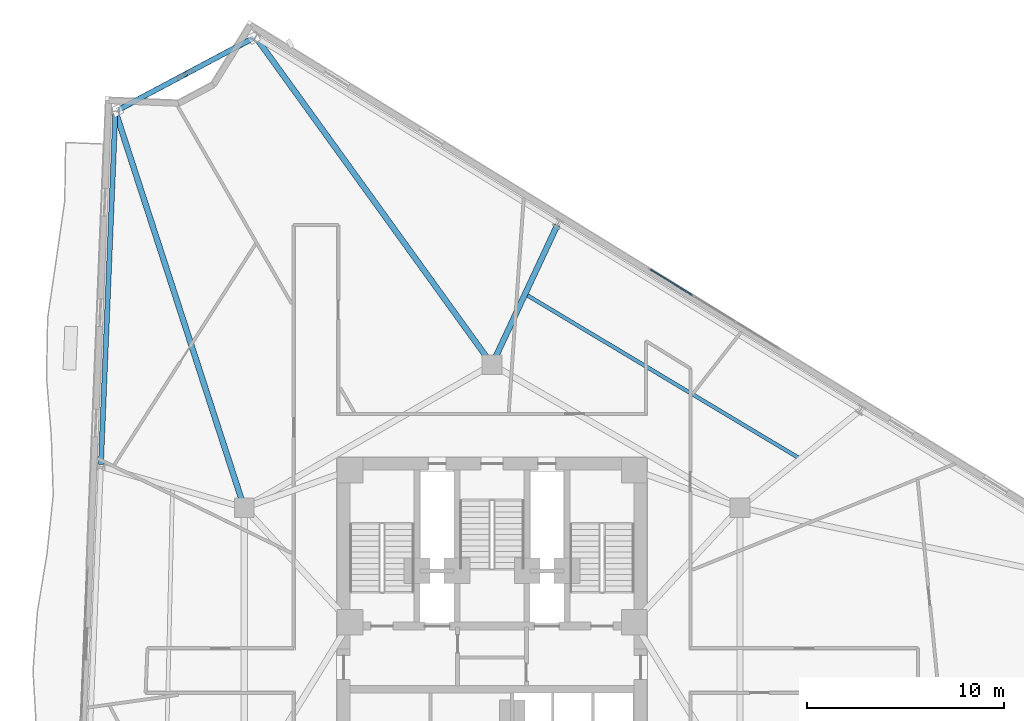
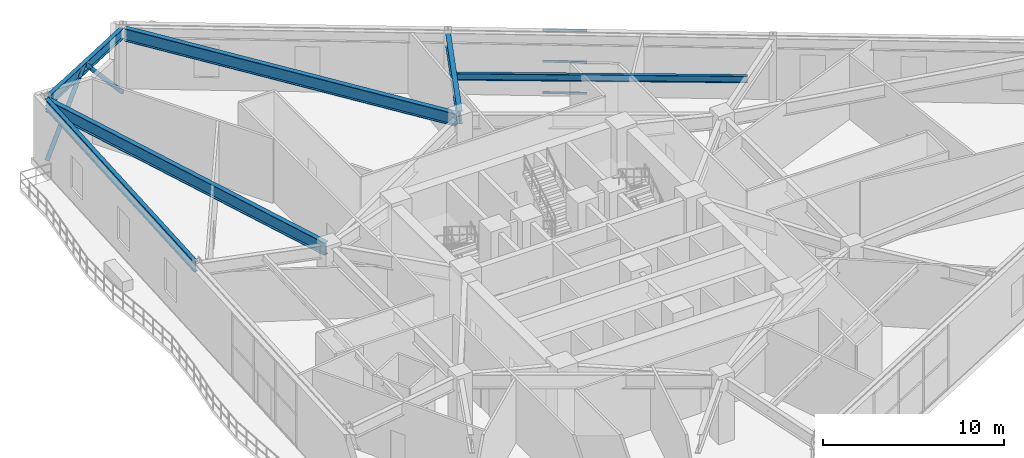
# One storey, part 9 of 22: 6 beams, 5 members, 1 element without a shape of its own.
"""IFC4 building model written with IfcOpenShell, lengths in metres."""

from ifc_helpers import new_model, si_unit, direction, frame, origin, origin_2d, place, context, subcontext, project, spatial, rectangle, hollow_circle, i_section, extrude, material, layer, layer_set, material_profile, profile_set, type_object, element, aggregate, save


model = new_model("IFC4")

# Units and contexts
model_context = context("Model", 3, precision=1e-05, world=origin(), true_north=direction((0.0, 1.0)))
body_context = subcontext(model_context, "Body", "Model", "MODEL_VIEW")
ifc_project = project(units=[si_unit("LENGTHUNIT", "METRE"), si_unit("AREAUNIT", "SQUARE_METRE"), si_unit("VOLUMEUNIT", "CUBIC_METRE"), si_unit("PLANEANGLEUNIT", "RADIAN"), si_unit("MASSUNIT", "GRAM", prefix="KILO")], contexts=[model_context])

# Site, building, storey
site_placement = place(None, origin())
site = spatial("IfcSite", under=ifc_project, at=site_placement, CompositionType="ELEMENT")
building_placement = place(site_placement, origin())
building = spatial("IfcBuilding", under=site, at=building_placement, Name="Apsidion Concourse Tower", CompositionType="ELEMENT")
storey_placement = place(building_placement, frame((0.0, 0.0, 160.89990234375)))
storey = spatial("IfcBuildingStorey", under=building, at=storey_placement, Name="L37", CompositionType="ELEMENT", Elevation=160.89990234375)

# Beams
ifc_material_1 = material(Name="Structural steel ASTM A992 Grade 50", Category="steel")
ifc_material_profile_1 = material_profile(ifc_material_1, i_section(OverallWidth=0.19091796875, OverallDepth=0.45703125, WebThickness=0.009033203125, FlangeThickness=0.014404296875, at=origin_2d()), Name="W18X50")
ifc_profile_set_1 = profile_set([ifc_material_profile_1], Name="Structural steel ASTM A992 Grade 50")
beam_type_1 = type_object("IfcBeamType", Name="BM-FL-W18", PredefinedType="BEAM", material=ifc_profile_set_1)
beam_1_placement = place(storey_placement, frame((15.619384765625, 9.7265625, 4.12158203125), z_axis=(-0.85795243344, 0.513729132865, 0.0), x_axis=(-0.513729132865, -0.85795243344, 0.0)))
element("IfcBeam", 1, at=beam_1_placement, inside=storey, type_object=beam_type_1, Name="L37 Secondary Floor Beam SEC-F3", PredefinedType="BEAM", context=body_context, shape_type="SweptSolid", body=[
    extrude(i_section(OverallWidth=0.19091796875, OverallDepth=0.45703125, WebThickness=0.009033203125, FlangeThickness=0.014404296875, at=origin_2d()), origin(), (0.0, 0.0, 1.0), 16.25537109375),
])
ifc_material_profile_2 = material_profile(ifc_material_1, i_section(OverallWidth=0.2919921875, OverallDepth=0.85888671875, WebThickness=0.01708984375, FlangeThickness=0.031005859375, at=origin_2d()), Name="W33X169")
ifc_profile_set_2 = profile_set([ifc_material_profile_2], Name="Structural steel ASTM A992 Grade 50")
beam_type_2 = type_object("IfcBeamType", Name="BM-G-W33", PredefinedType="USERDEFINED", material=ifc_profile_set_2)
beam_2_placement = place(storey_placement, frame((-12.6279296875, 7.459228515625, 3.920654296875), z_axis=(-0.309075984528, 0.95103734721, 0.0), x_axis=(-0.95103734721, -0.309075984528, 0.0)))
element("IfcBeam", 2, at=beam_2_placement, inside=storey, type_object=beam_type_2, Name="L37 Radial Floor Girder RAD-01", ObjectType="GIRDER", PredefinedType="USERDEFINED", context=body_context, shape_type="SweptSolid", body=[
    extrude(i_section(OverallWidth=0.2919921875, OverallDepth=0.85888671875, WebThickness=0.01708984375, FlangeThickness=0.031005859375, at=origin_2d()), origin(), (0.0, 0.0, 1.0), 20.794921875),
])
beam_3_placement = place(storey_placement, frame((0.09326171875, 14.69921875, 3.920654296875), z_axis=(0.423634804892, 0.905833070761, 0.0), x_axis=(-0.905833070761, 0.423634804892, 0.0)))
element("IfcBeam", 3, at=beam_3_placement, inside=storey, type_object=beam_type_2, Name="L37 Radial Floor Girder RAD-11", ObjectType="GIRDER", PredefinedType="USERDEFINED", context=body_context, shape_type="SweptSolid", body=[
    extrude(i_section(OverallWidth=0.2919921875, OverallDepth=0.85888671875, WebThickness=0.01708984375, FlangeThickness=0.031005859375, at=origin_2d()), origin(), (0.0, 0.0, 1.0), 7.578857421875),
])
beam_4_placement = place(storey_placement, frame((-0.12890625, 14.678466796875, 3.920654296875), z_axis=(-0.58524513155, 0.810856421321, 0.0), x_axis=(-0.810856421321, -0.58524513155, 0.0)))
element("IfcBeam", 4, at=beam_4_placement, inside=storey, type_object=beam_type_2, Name="L37 Radial Floor Girder RAD-12", ObjectType="GIRDER", PredefinedType="USERDEFINED", context=body_context, shape_type="SweptSolid", body=[
    extrude(i_section(OverallWidth=0.2919921875, OverallDepth=0.85888671875, WebThickness=0.01708984375, FlangeThickness=0.031005859375, at=origin_2d()), origin(), (0.0, 0.0, 1.0), 20.16015625),
])
ifc_material_profile_3 = material_profile(ifc_material_1, i_section(OverallWidth=0.256103515625, OverallDepth=0.693115234375, WebThickness=0.014404296875, FlangeThickness=0.023681640625, at=origin_2d()), Name="W27X114")
ifc_profile_set_3 = profile_set([ifc_material_profile_3], Name="Structural steel ASTM A992 Grade 50")
beam_type_3 = type_object("IfcBeamType", Name="BM-SP-W27", PredefinedType="SPANDREL", material=ifc_profile_set_3)
beam_5_placement = place(storey_placement, frame((-19.090087890625, 27.2314453125, 4.003662109375), z_axis=(-0.040983440282, -0.999159825865, 0.0), x_axis=(0.999159825865, -0.040983440282, 0.0)))
element("IfcBeam", 5, at=beam_5_placement, inside=storey, type_object=beam_type_3, Name="L37 Perimeter Spandrel Girder SP-01", PredefinedType="SPANDREL", context=body_context, shape_type="SweptSolid", body=[
    extrude(i_section(OverallWidth=0.256103515625, OverallDepth=0.693115234375, WebThickness=0.014404296875, FlangeThickness=0.023681640625, at=origin_2d()), origin(), (0.0, 0.0, 1.0), 17.8115234375),
])
beam_6_placement = place(storey_placement, frame((-12.07421875, 31.059814453125, 4.003662109375), z_axis=(-0.882931431511, -0.469501956599, 0.0), x_axis=(0.469501956599, -0.882931431511, 0.0)))
element("IfcBeam", 6, at=beam_6_placement, inside=storey, type_object=beam_type_3, Name="L37 Perimeter Spandrel Girder SP-12", PredefinedType="SPANDREL", context=body_context, shape_type="SweptSolid", body=[
    extrude(i_section(OverallWidth=0.256103515625, OverallDepth=0.693115234375, WebThickness=0.014404296875, FlangeThickness=0.023681640625, at=origin_2d()), origin(), (0.0, 0.0, 1.0), 7.841552734375),
])

# Curtain wall, members
ifc_material_2 = material(Name="Insulated laminated low-E glass", Category="glass")
ifc_layer = layer(ifc_material_2, 0.2099609375)
ifc_layer_set = layer_set([ifc_layer], Name="Insulated laminated low-E glass")
curtain_wall_type = type_object("IfcCurtainWallType", Name="CW-SYS-03", PredefinedType="NOTDEFINED", material=ifc_layer_set)
curtain_wall_placement = place(storey_placement, origin())
curtain_wall = element("IfcCurtainWall", 7, at=curtain_wall_placement, inside=storey, type_object=curtain_wall_type, Name="L37 Sky Lobby Curtain Wall 1", PredefinedType="NOTDEFINED")
ifc_material_3 = material(Name="Anodised aluminium EN AW-6063 T6", Category="aluminium")
ifc_material_profile_4 = material_profile(ifc_material_3, rectangle(XDim=0.06494140625, YDim=0.139892578125, at=origin_2d()), Name="ALU TRANSOM 65x140")
ifc_profile_set_4 = profile_set([ifc_material_profile_4], Name="Anodised aluminium EN AW-6063 T6")
member_type_1 = type_object("IfcMemberType", Name="CWT-65X140", PredefinedType="USERDEFINED", material=ifc_profile_set_4)
member_1_placement = place(storey_placement, frame((8.03369140625, 19.318359375, 0.03271484375), z_axis=(0.851170135058, -0.524889894344, 0.0), x_axis=(0.524889894344, 0.851170135058, 0.0)))
member_1 = element("IfcMember", 8, at=member_1_placement, type_object=member_type_1, Name="CW-03 transom 1.1", ObjectType="TRANSOM", PredefinedType="USERDEFINED", context=body_context, shape_type="SweptSolid", body=[
    extrude(rectangle(XDim=0.06494140625, YDim=0.139892578125, at=origin_2d()), origin(), (0.0, 0.0, 1.0), 2.474365234375),
])
member_2_placement = place(storey_placement, frame((8.03369140625, 19.318359375, 2.150146484375), z_axis=(0.851170135058, -0.524889894344, 0.0), x_axis=(0.524889894344, 0.851170135058, 0.0)))
member_2 = element("IfcMember", 9, at=member_2_placement, type_object=member_type_1, Name="CW-03 transom 1.2", ObjectType="TRANSOM", PredefinedType="USERDEFINED", context=body_context, shape_type="SweptSolid", body=[
    extrude(rectangle(XDim=0.06494140625, YDim=0.139892578125, at=origin_2d()), origin(), (0.0, 0.0, 1.0), 2.474365234375),
])
member_3_placement = place(storey_placement, frame((8.03369140625, 19.318359375, 4.267578125), z_axis=(0.851170135058, -0.524889894344, 0.0), x_axis=(0.524889894344, 0.851170135058, 0.0)))
member_3 = element("IfcMember", 10, at=member_3_placement, type_object=member_type_1, Name="CW-03 transom 1.3", ObjectType="TRANSOM", PredefinedType="USERDEFINED", context=body_context, shape_type="SweptSolid", body=[
    extrude(rectangle(XDim=0.06494140625, YDim=0.139892578125, at=origin_2d()), origin(), (0.0, 0.0, 1.0), 2.474365234375),
])
aggregate(curtain_wall, [member_1, member_2, member_3])

# Members
ifc_material_4 = material(Name="Structural steel ASTM A500 Grade C", Category="steel")
ifc_material_profile_5 = material_profile(ifc_material_4, hollow_circle(Radius=0.136474609375, WallThickness=0.01611328125, at=origin_2d()), Name="CHS273X16")
ifc_profile_set_5 = profile_set([ifc_material_profile_5], Name="Structural steel ASTM A500 Grade C")
member_type_2 = type_object("IfcMemberType", Name="MB-BR-CHS273", PredefinedType="BRACE", material=ifc_profile_set_5)
member_4_placement = place(storey_placement, frame((-12.07421875, 31.059814453125, 0.0), z_axis=(-0.598673010279, -0.318357747197, 0.735009504403), x_axis=(0.469514863165, -0.882924568277, 0.0)))
element("IfcMember", 11, at=member_4_placement, inside=storey, type_object=member_type_2, Name="L37 Corner Step-Transfer Chevron Brace KN-3-1", PredefinedType="BRACE", context=body_context, shape_type="SweptSolid", body=[
    extrude(hollow_circle(Radius=0.136474609375, WallThickness=0.01611328125, at=origin_2d()), origin(), (0.0, 0.0, 1.0), 5.7822265625),
])
member_5_placement = place(storey_placement, frame((-18.997802734375, 27.378173828125, 0.0), z_axis=(0.59870009882, 0.318349699937, 0.734990925265), x_axis=(-0.469489050642, 0.882938294179, 0.0)))
element("IfcMember", 12, at=member_5_placement, inside=storey, type_object=member_type_2, Name="L37 Corner Step-Transfer Chevron Brace KN-3-2", PredefinedType="BRACE", context=body_context, shape_type="SweptSolid", body=[
    extrude(hollow_circle(Radius=0.136474609375, WallThickness=0.01611328125, at=origin_2d()), origin(), (0.0, 0.0, 1.0), 5.782470703125),
])

save(model, "model.ifc")
